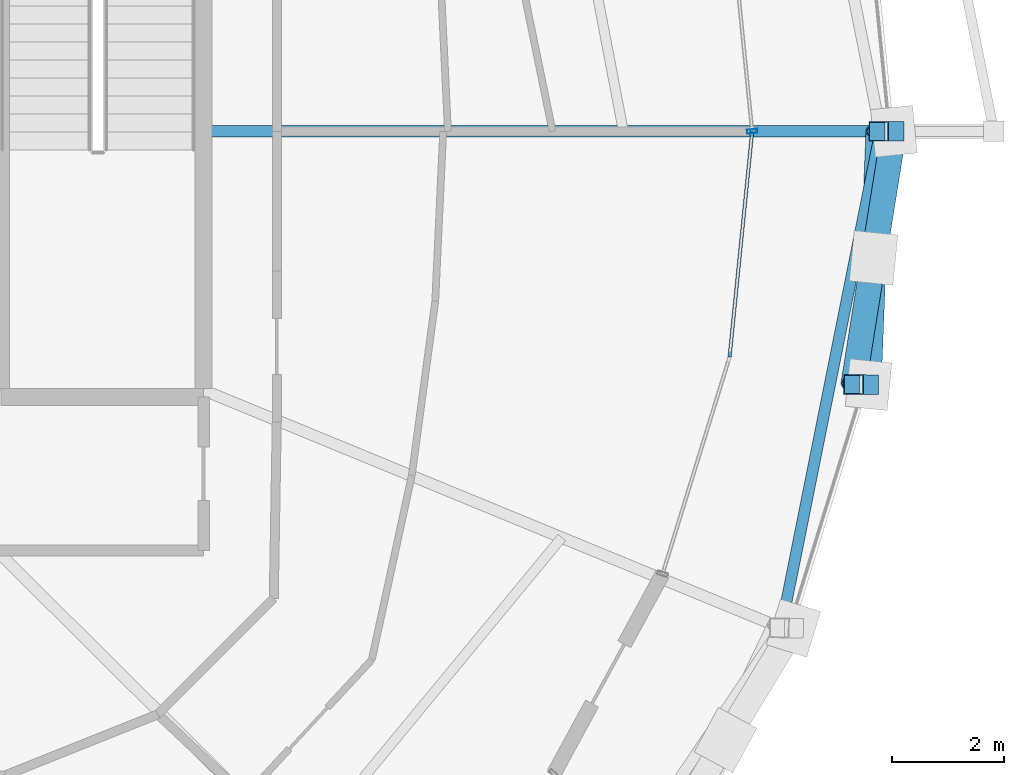
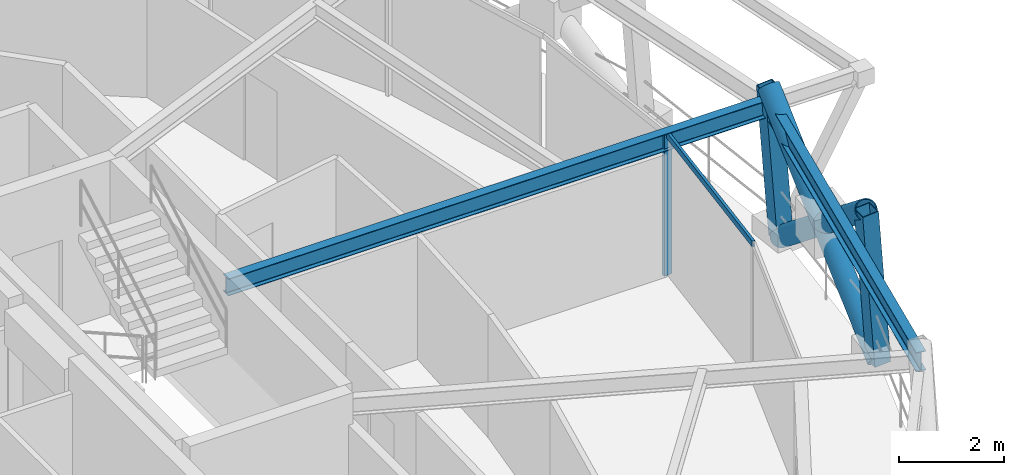
# One storey, part 7 of 18: 7 members, 2 beams, 1 element without a shape of its own.
"""IFC4 building model written with IfcOpenShell, lengths in metres."""

import ifcopenshell
import ifcopenshell.guid

model = None  # the IFC model being written
_history = None  # IfcOwnerHistory: only IFC2X3 demands one
_inside = {}  # id of a spatial element -> (the spatial element, [elements in it])
_under = {}  # id of a project, library or spatial element -> (it, [spatial elements below it])
_declared = {}  # id of a project -> (the project, [libraries it declares])
_typed = {}  # id of a type object -> (the type object, [elements of that type])
_made_of = {}  # id of a material, layer set ... -> (it, [elements and type objects made of it])


def new_model(schema):
    """Start an empty IFC model of exactly this schema.

    Asked for "IFC4X3", IfcOpenShell would pick the latest addendum, in which some entities
    have other attributes; the version numbers below select the first issue.
    IFC2X3 requires an IfcOwnerHistory on every rooted entity: one is made here for all.
    """
    global model, _history
    if schema == "IFC4X3":
        model = ifcopenshell.file(schema_version=(4, 3, 0, 0))
    else:
        model = ifcopenshell.file(schema=schema)
    _inside.clear()
    _under.clear()
    _declared.clear()
    _typed.clear()
    _made_of.clear()
    _history = None
    if model.schema == "IFC2X3":
        org = make("IfcOrganization", Name="unknown")
        user = make(
            "IfcPersonAndOrganization",
            ThePerson=make("IfcPerson", FamilyName="unknown"),
            TheOrganization=org,
        )
        app = make(
            "IfcApplication",
            ApplicationDeveloper=org,
            Version="unknown",
            ApplicationFullName="unknown",
            ApplicationIdentifier="unknown",
        )
        _history = make(
            "IfcOwnerHistory",
            OwningUser=user,
            OwningApplication=app,
            ChangeAction="ADDED",
            CreationDate=0,
        )
    return model


def make(cls, **values):
    """One entity of the class cls with the attributes given. An attribute that is None is left unset."""
    return model.create_entity(
        cls, **{name: value for name, value in values.items() if value is not None}
    )


def rooted(cls, **values):
    """An entity with a GlobalId (a new one), such as an element, a storey or a relation."""
    return make(cls, GlobalId=ifcopenshell.guid.new(), OwnerHistory=_history, **values)


def si_unit(unit_type, name, prefix=None):
    """IfcSIUnit, for example si_unit("LENGTHUNIT", "METRE", prefix="MILLI")."""
    return make("IfcSIUnit", UnitType=unit_type, Prefix=prefix, Name=name)


def assignment(units):
    """IfcUnitAssignment: the units of a project."""
    return None if units is None else make("IfcUnitAssignment", Units=units)


def point(xyz):
    """IfcCartesianPoint."""
    return None if xyz is None else make("IfcCartesianPoint", Coordinates=xyz)


def direction(xyz):
    """IfcDirection."""
    return None if xyz is None else make("IfcDirection", DirectionRatios=xyz)


def frame(location, z_axis=None, x_axis=None):
    """IfcAxis2Placement3D, a coordinate frame: its origin and axes. An axis left out is left unset."""
    return make(
        "IfcAxis2Placement3D",
        Location=point(location),
        Axis=direction(z_axis),
        RefDirection=direction(x_axis),
    )


def frame_2d(location, x_axis=None):
    """IfcAxis2Placement2D, a coordinate frame in the plane: its origin and x axis."""
    return make(
        "IfcAxis2Placement2D", Location=point(location), RefDirection=direction(x_axis)
    )


def origin():
    """The frame at (0, 0, 0) with its axes left unset."""
    return frame((0.0, 0.0, 0.0))


def origin_2d():
    """The frame at (0, 0) in the plane with its x axis left unset."""
    return frame_2d((0.0, 0.0))


def place(relative_to, where):
    """IfcLocalPlacement: puts the frame where relative to a parent placement (None: the world)."""
    return make(
        "IfcLocalPlacement", PlacementRelTo=relative_to, RelativePlacement=where
    )


def context(
    kind, dimensions, precision=None, world=None, true_north=None, identifier=None
):
    """IfcGeometricRepresentationContext, for example the 3D "Model" context."""
    return make(
        "IfcGeometricRepresentationContext",
        ContextIdentifier=identifier,
        ContextType=kind,
        CoordinateSpaceDimension=dimensions,
        Precision=precision,
        WorldCoordinateSystem=world,
        TrueNorth=true_north,
    )


def subcontext(parent, identifier, kind, view, scale=None):
    """IfcGeometricRepresentationSubContext, for example "Body" below "Model"."""
    return make(
        "IfcGeometricRepresentationSubContext",
        ContextIdentifier=identifier,
        ContextType=kind,
        ParentContext=parent,
        TargetScale=scale,
        TargetView=view,
    )


def project(units=None, contexts=None):
    """IfcProject with its units and contexts."""
    return rooted(
        "IfcProject",
        Name="project",
        RepresentationContexts=contexts,
        UnitsInContext=assignment(units),
    )


def spatial(cls, under=None, at=None, **own):
    """A site, building, storey or space (cls), placed at a placement, below another one or the project."""
    s = rooted(cls, ObjectPlacement=at, **own)
    if under is not None:
        _under.setdefault(under.id(), (under, []))[1].append(s)
    return s


def profile(cls, at=None, kind="AREA", **sizes):
    """A parametric profile (cls). Its sizes go by their IFC names, for example OverallWidth=200.0."""
    return make(cls, ProfileType=kind, Position=at, **sizes)


def hollow_rectangle(**sizes):
    """IfcRectangleHollowProfileDef."""
    return profile("IfcRectangleHollowProfileDef", **sizes)


def hollow_circle(**sizes):
    """IfcCircleHollowProfileDef."""
    return profile("IfcCircleHollowProfileDef", **sizes)


def i_section(**sizes):
    """IfcIShapeProfileDef."""
    return profile("IfcIShapeProfileDef", **sizes)


def extrude(swept, where, along, depth):
    """IfcExtrudedAreaSolid: the profile swept, set in the frame where, extruded along a direction by depth."""
    return make(
        "IfcExtrudedAreaSolid",
        SweptArea=swept,
        Position=where,
        ExtrudedDirection=direction(along),
        Depth=depth,
    )


def shape(context_of_items, identifier, shape_type, items):
    """IfcShapeRepresentation: the items that make up one representation, for example the "Body"."""
    return make(
        "IfcShapeRepresentation",
        ContextOfItems=context_of_items,
        RepresentationIdentifier=identifier,
        RepresentationType=shape_type,
        Items=items,
    )


def material(Name=None, Category=None):
    """IfcMaterial."""
    return make("IfcMaterial", Name=Name, Category=Category)


def layer(
    of_material, thickness, ventilated=None, Name=None, Category=None, Priority=None
):
    """IfcMaterialLayer: one layer of a wall or slab, of a material (None: an air gap)."""
    return make(
        "IfcMaterialLayer",
        Material=of_material,
        LayerThickness=thickness,
        IsVentilated=ventilated,
        Name=Name,
        Category=Category,
        Priority=Priority,
    )


def layer_set(layers, Name=None):
    """IfcMaterialLayerSet."""
    return make("IfcMaterialLayerSet", MaterialLayers=layers, LayerSetName=Name)


def material_profile(
    of_material, cross_section, Name=None, Category=None, Priority=None
):
    """IfcMaterialProfile: a cross section and its material."""
    return make(
        "IfcMaterialProfile",
        Name=Name,
        Material=of_material,
        Profile=cross_section,
        Priority=Priority,
        Category=Category,
    )


def profile_set(profiles, Name=None, composite=None):
    """IfcMaterialProfileSet."""
    return make(
        "IfcMaterialProfileSet",
        Name=Name,
        MaterialProfiles=profiles,
        CompositeProfile=composite,
    )


def made_of(thing, what):
    """Note that an element or type object is made of a material, layer set ...; save() writes the relation."""
    if what is not None:
        _made_of.setdefault(what.id(), (what, []))[1].append(thing)
    return thing


def type_object(cls, material=None, **own):
    """A type object (cls), such as IfcWallType, which elements share."""
    return made_of(rooted(cls, **own), material)


def element(
    cls,
    number,
    at=None,
    inside=None,
    cuts=None,
    type_object=None,
    material=None,
    context=None,
    identifier="Body",
    shape_type=None,
    held_by="IfcProductDefinitionShape",
    body=None,
    shapes=None,
    **own,
):
    """One element of the class cls, such as IfcWall. Its Tag is "e" and its number.

    at: its placement. inside: the storey or other place that contains it. cuts: it is an
    opening in that element (IfcRelVoidsElement). A single representation is given by context,
    identifier, shape_type and body (its items); several are given by shapes. held_by: the class
    of the entity that holds the representations. save() writes the other relations.
    """
    e = rooted(cls, Tag="e%d" % number, ObjectPlacement=at, **own)
    if body is not None:
        shapes = [shape(context, identifier, shape_type, body)]
    if shapes is not None:
        e.Representation = make(held_by, Representations=shapes)
    if inside is not None:
        _inside.setdefault(inside.id(), (inside, []))[1].append(e)
    if cuts is not None:
        rooted(
            "IfcRelVoidsElement", RelatingBuildingElement=cuts, RelatedOpeningElement=e
        )
    if type_object is not None:
        _typed.setdefault(type_object.id(), (type_object, []))[1].append(e)
    return made_of(e, material)


def aggregate(whole, parts):
    """IfcRelAggregates: a whole, such as a stair, and the parts it consists of."""
    return rooted("IfcRelAggregates", RelatingObject=whole, RelatedObjects=parts)


def save(model, path):
    """Write the relations noted so far, then the file.

    IfcRelAggregates (storeys below a building ...), IfcRelContainedInSpatialStructure (elements
    in a storey), IfcRelDefinesByType, IfcRelAssociatesMaterial and IfcRelDeclares: one each for
    every whole, place, type object, material and project.
    """
    for whole, parts in _under.values():
        aggregate(whole, parts)
    for where, things in _inside.values():
        rooted(
            "IfcRelContainedInSpatialStructure",
            RelatedElements=things,
            RelatingStructure=where,
        )
    for kind, things in _typed.values():
        rooted("IfcRelDefinesByType", RelatedObjects=things, RelatingType=kind)
    for what, things in _made_of.values():
        rooted("IfcRelAssociatesMaterial", RelatedObjects=things, RelatingMaterial=what)
    for by, libraries in _declared.values():
        rooted("IfcRelDeclares", RelatingContext=by, RelatedDefinitions=libraries)
    model.write(path)


model = new_model("IFC4")

# Units and contexts
model_context = context("Model", 3, precision=1e-05, world=origin(), true_north=direction((0.0, 1.0)))
body_context = subcontext(model_context, "Body", "Model", "MODEL_VIEW")
ifc_project = project(units=[si_unit("LENGTHUNIT", "METRE"), si_unit("AREAUNIT", "SQUARE_METRE"), si_unit("VOLUMEUNIT", "CUBIC_METRE"), si_unit("PLANEANGLEUNIT", "RADIAN"), si_unit("MASSUNIT", "GRAM", prefix="KILO")], contexts=[model_context])

# Site, building, storey
site_placement = place(None, origin())
site = spatial("IfcSite", under=ifc_project, at=site_placement, CompositionType="ELEMENT")
building_placement = place(site_placement, origin())
building = spatial("IfcBuilding", under=site, at=building_placement, Name="Veldorina Hangang Commons", CompositionType="ELEMENT")
storey_placement = place(building_placement, frame((0.0, 0.0, 243.60009765625)))
storey = spatial("IfcBuildingStorey", under=building, at=storey_placement, Name="L63", CompositionType="ELEMENT", Elevation=243.60009765625)

# Beams
ifc_material_1 = material(Name="Steel SM355-TMC", Category="steel")
ifc_material_profile_1 = material_profile(ifc_material_1, i_section(OverallWidth=0.199951171875, OverallDepth=0.39990234375, WebThickness=0.008056640625, FlangeThickness=0.012939453125, FilletRadius=0.012939453125, at=origin_2d()), Name="H-400x200x8x13")
ifc_profile_set_1 = profile_set([ifc_material_profile_1], Name="Steel SM355-TMC")
beam_type_1 = type_object("IfcBeamType", Name="BM-FG400", PredefinedType="BEAM", material=ifc_profile_set_1)
beam_1_placement = place(storey_placement, frame((43.179931640625, 24.0, 3.159912109375), z_axis=(1.0, 0.0, 0.0), x_axis=(0.0, 1.0, 0.0)))
element("IfcBeam", 1, at=beam_1_placement, inside=storey, type_object=beam_type_1, Name="L63 radial floor girder 01", PredefinedType="BEAM", context=body_context, shape_type="SweptSolid", body=[
    extrude(i_section(OverallWidth=0.199951171875, OverallDepth=0.39990234375, WebThickness=0.008056640625, FlangeThickness=0.012939453125, FilletRadius=0.012939453125, at=origin_2d()), origin(), (0.0, 0.0, 1.0), 12.03515625),
])
ifc_material_profile_2 = material_profile(ifc_material_1, i_section(OverallWidth=0.199951171875, OverallDepth=0.449951171875, WebThickness=0.009033203125, FlangeThickness=0.013916015625, FilletRadius=0.01611328125, at=origin_2d()), Name="H-450x200x9x14")
ifc_profile_set_2 = profile_set([ifc_material_profile_2], Name="Steel SM355-TMC")
beam_type_2 = type_object("IfcBeamType", Name="BM-RB450", PredefinedType="BEAM", material=ifc_profile_set_2)
beam_2_placement = place(storey_placement, frame((53.447998046875, 15.1708984375, 3.135009765625), z_axis=(0.196251703659, 0.98055355224, 0.0), x_axis=(-0.98055355224, 0.196251703659, 0.0)))
element("IfcBeam", 2, at=beam_2_placement, inside=storey, type_object=beam_type_2, Name="L63 perimeter hoop ring beam 30", PredefinedType="BEAM", context=body_context, shape_type="SweptSolid", body=[
    extrude(i_section(OverallWidth=0.199951171875, OverallDepth=0.449951171875, WebThickness=0.009033203125, FlangeThickness=0.013916015625, FilletRadius=0.01611328125, at=origin_2d()), origin(), (0.0, 0.0, 1.0), 9.004150390625),
])

# Curtain wall, members
ifc_material_2 = material(Name="Glass Low-E Selective", Category="glass")
ifc_layer = layer(ifc_material_2, 0.179931640625)
ifc_layer_set = layer_set([ifc_layer], Name="Glass Low-E Selective")
curtain_wall_type = type_object("IfcCurtainWallType", Name="CW-SYS-Z3", PredefinedType="NOTDEFINED", material=ifc_layer_set)
curtain_wall_placement = place(storey_placement, origin())
curtain_wall = element("IfcCurtainWall", 3, at=curtain_wall_placement, inside=storey, type_object=curtain_wall_type, Name="L63 unitised curtain wall CW-L63-R2", PredefinedType="NOTDEFINED")
ifc_material_3 = material(Name="Aluminium Anodized AA6063-T6", Category="aluminium")
ifc_material_profile_3 = material_profile(ifc_material_3, hollow_rectangle(XDim=0.070068359375, YDim=0.179931640625, WallThickness=0.00390625, at=origin_2d()), Name="ALU-RHS-180x70x4")
ifc_profile_set_3 = profile_set([ifc_material_profile_3], Name="Aluminium Anodized AA6063-T6")
member_type_1 = type_object("IfcMemberType", Name="CW-MUL-180", PredefinedType="MULLION", material=ifc_profile_set_3)
member_1_placement = place(storey_placement, frame((52.93310546875, 24.0, 0.0), z_axis=(0.0, 0.0, 1.0), x_axis=(-0.099771281396, 0.995010397638, 0.0)))
member_1 = element("IfcMember", 4, at=member_1_placement, type_object=member_type_1, Name="CW-L63-R2 vertical mullion 2", PredefinedType="MULLION", context=body_context, shape_type="SweptSolid", body=[
    extrude(hollow_rectangle(XDim=0.070068359375, YDim=0.179931640625, WallThickness=0.00390625, at=origin_2d()), origin(), (0.0, 0.0, 1.0), 3.31982421875),
])
ifc_material_profile_4 = material_profile(ifc_material_3, hollow_rectangle(XDim=0.06005859375, YDim=0.139892578125, WallThickness=0.00341796875, at=origin_2d()), Name="ALU-RHS-140x60x3.5")
ifc_profile_set_4 = profile_set([ifc_material_profile_4], Name="Aluminium Anodized AA6063-T6")
member_type_2 = type_object("IfcMemberType", Name="CW-TRN-140", PredefinedType="USERDEFINED", material=ifc_profile_set_4)
member_2_placement = place(storey_placement, frame((52.531005859375, 19.988525390625, 3.27978515625), z_axis=(0.099737550636, 0.995013779298, 0.0), x_axis=(-0.995013779298, 0.099737550636, 0.0)))
member_2 = element("IfcMember", 5, at=member_2_placement, type_object=member_type_2, Name="CW-L63-R2 facet 2 transom 1", ObjectType="TRANSOM", PredefinedType="USERDEFINED", context=body_context, shape_type="SweptSolid", body=[
    extrude(hollow_rectangle(XDim=0.06005859375, YDim=0.139892578125, WallThickness=0.00341796875, at=origin_2d()), origin(), (0.0, 0.0, 1.0), 4.031494140625),
])
aggregate(curtain_wall, [member_1, member_2])

# Members
ifc_material_profile_5 = material_profile(ifc_material_1, hollow_circle(Radius=0.22509765625, WallThickness=0.02197265625, at=origin_2d()), Name="CHS-450x22")
ifc_profile_set_5 = profile_set([ifc_material_profile_5], Name="Steel SM355-TMC")
member_type_3 = type_object("IfcMemberType", Name="DG-CHS450", PredefinedType="BRACE", material=ifc_profile_set_5)
member_3_placement = place(storey_placement, frame((55.002685546875, 19.4970703125, 0.0), z_axis=(0.030688348606, 0.780711588544, 0.624137517517), x_axis=(-0.999228327783, 0.039277843073, 0.0)))
element("IfcMember", 6, at=member_3_placement, inside=storey, type_object=member_type_3, Name="L63 continuous perimeter diagrid brace 31", PredefinedType="BRACE", context=body_context, shape_type="SweptSolid", body=[
    extrude(hollow_circle(Radius=0.22509765625, WallThickness=0.02197265625, at=origin_2d()), origin(), (0.0, 0.0, 1.0), 5.767822265625),
])
member_4_placement = place(storey_placement, frame((55.453125, 24.0, 0.0), z_axis=(-0.124552368048, -0.774796410957, 0.619820320079), x_axis=(0.98732407853, -0.158717245296, 0.0)))
element("IfcMember", 7, at=member_4_placement, inside=storey, type_object=member_type_3, Name="L63 split perimeter diagrid lower brace 00", PredefinedType="BRACE", context=body_context, shape_type="SweptSolid", body=[
    extrude(hollow_circle(Radius=0.22509765625, WallThickness=0.02197265625, at=origin_2d()), origin(), (0.0, 0.0, 1.0), 2.905029296875),
])
member_5_placement = place(storey_placement, frame((55.09130859375, 21.749267578125, 1.800537109375), z_axis=(-0.122953122131, -0.775058805442, 0.619811566418), x_axis=(0.987649746593, -0.156677943741, 0.0)))
element("IfcMember", 8, at=member_5_placement, inside=storey, type_object=member_type_3, Name="L63 split perimeter diagrid upper brace 00", PredefinedType="BRACE", context=body_context, shape_type="SweptSolid", body=[
    extrude(hollow_circle(Radius=0.22509765625, WallThickness=0.02197265625, at=origin_2d()), origin(), (0.0, 0.0, 1.0), 2.903076171875),
])
ifc_material_profile_6 = material_profile(ifc_material_1, hollow_rectangle(XDim=0.35009765625, YDim=0.35009765625, WallThickness=0.01611328125, at=origin_2d()), Name="SHS-350x350x16")
ifc_profile_set_6 = profile_set([ifc_material_profile_6], Name="Steel SM355-TMC")
member_type_4 = type_object("IfcMemberType", Name="STR-SHS350", PredefinedType="STRUT", material=ifc_profile_set_6)
member_6_placement = place(storey_placement, frame((55.453125, 24.0, 0.0), z_axis=(-0.07573977161, 0.0, 0.99712761821), x_axis=(0.0, -1.0, 0.0)))
element("IfcMember", 9, at=member_6_placement, inside=storey, type_object=member_type_4, Name="L63 perimeter ring node post 00", PredefinedType="STRUT", context=body_context, shape_type="SweptSolid", body=[
    extrude(hollow_rectangle(XDim=0.35009765625, YDim=0.35009765625, WallThickness=0.01611328125, at=origin_2d()), origin(), (0.0, 0.0, 1.0), 3.610107421875),
])
member_7_placement = place(storey_placement, frame((55.002685546875, 19.4970703125, 0.0), z_axis=(-0.074327557241, 0.000608687912, 0.997233695647), x_axis=(-0.008188988378, -0.999966469673, 0.0)))
element("IfcMember", 10, at=member_7_placement, inside=storey, type_object=member_type_4, Name="L63 perimeter ring node post 31", PredefinedType="STRUT", context=body_context, shape_type="SweptSolid", body=[
    extrude(hollow_rectangle(XDim=0.35009765625, YDim=0.35009765625, WallThickness=0.01611328125, at=origin_2d()), origin(), (0.0, 0.0, 1.0), 3.60986328125),
])

save(model, "model.ifc")
